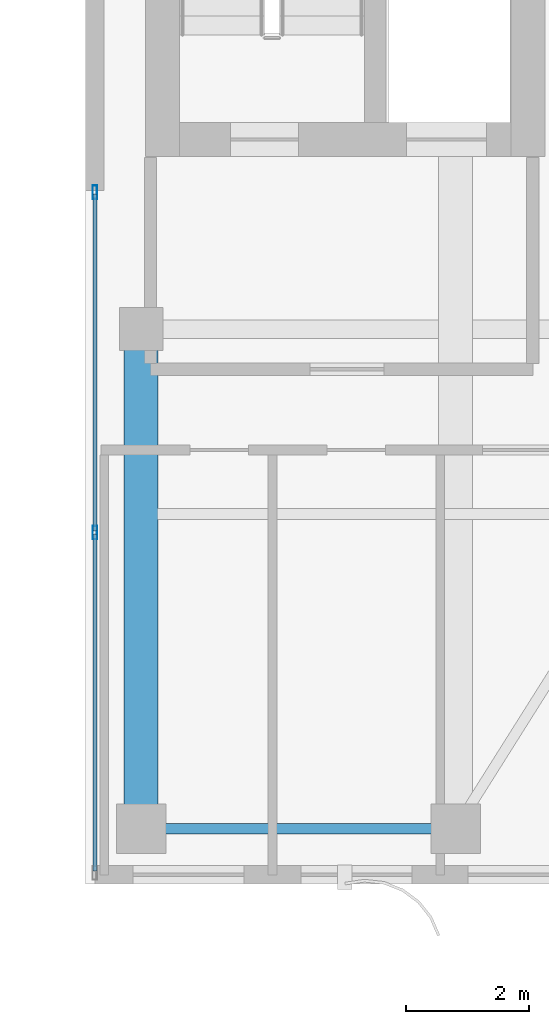
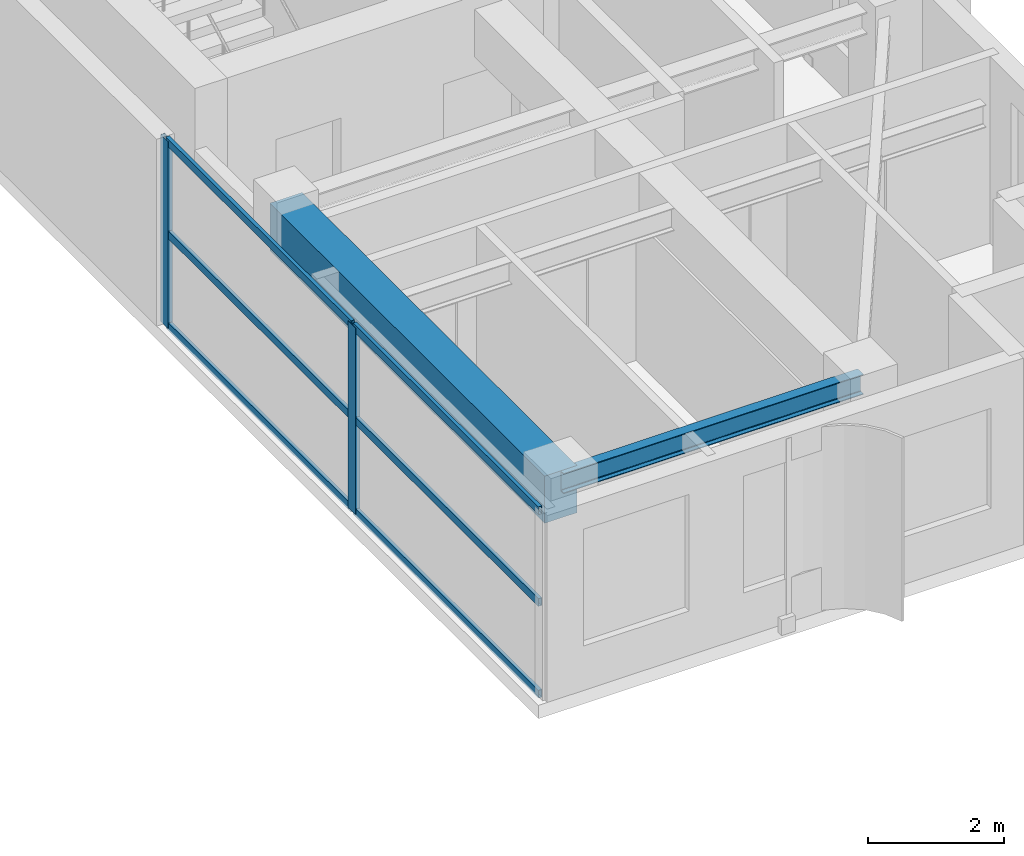
# One storey, part 5 of 22: 8 members, 2 beams, 1 element without a shape of its own.
"""IFC4 building model written with IfcOpenShell, lengths in metres."""

from ifc_helpers import new_model, si_unit, direction, frame, origin, origin_2d, place, context, subcontext, project, spatial, rectangle, hollow_rectangle, i_section, extrude, source, transform, mapped, material, layer, layer_set, material_profile, profile_set, type_object, element, aggregate, save


model = new_model("IFC4")

# Units and contexts
model_context = context("Model", 3, precision=1e-05, world=origin(), true_north=direction((0.0, 1.0)))
body_context = subcontext(model_context, "Body", "Model", "MODEL_VIEW")
ifc_project = project(units=[si_unit("LENGTHUNIT", "METRE"), si_unit("AREAUNIT", "SQUARE_METRE"), si_unit("VOLUMEUNIT", "CUBIC_METRE"), si_unit("PLANEANGLEUNIT", "RADIAN"), si_unit("MASSUNIT", "GRAM", prefix="KILO")], contexts=[model_context])

# Site, building, storey
site_placement = place(None, origin())
site = spatial("IfcSite", under=ifc_project, at=site_placement, CompositionType="ELEMENT")
building_placement = place(site_placement, origin())
building = spatial("IfcBuilding", under=site, at=building_placement, Name="Khoralis Quay Care Tower", CompositionType="ELEMENT")
storey_placement = place(building_placement, frame((0.0, 0.0, 256.5)))
storey = spatial("IfcBuildingStorey", under=building, at=storey_placement, Name="L67", CompositionType="ELEMENT", Elevation=256.5)

# Beams
ifc_material_1 = material(Name="Steel S355", Category="steel")
ifc_material_profile_1 = material_profile(ifc_material_1, i_section(OverallWidth=0.169921875, OverallDepth=0.360107421875, WebThickness=0.008056640625, FlangeThickness=0.0126953125, FilletRadius=0.01806640625, at=origin_2d()), Name="Steel S355")
ifc_profile_set_1 = profile_set([ifc_material_profile_1], Name="Steel S355")
beam_type_1 = type_object("IfcBeamType", Name="BM-IPE360", PredefinedType="SPANDREL", material=ifc_profile_set_1)
shared_shape_1 = source(origin(), body_context, "Body", "SweptSolid", [
    extrude(i_section(OverallWidth=0.169921875, OverallDepth=0.360107421875, WebThickness=0.008056640625, FlangeThickness=0.0126953125, FilletRadius=0.01806640625, at=origin_2d()), origin(), (0.0, 0.0, 1.0), 5.10009765625),
])
beam_1_placement = place(storey_placement, frame((30.89990234375, 3.89990234375, 3.179931640625), z_axis=(1.0, 0.0, 0.0), x_axis=(0.0, 1.0, 0.0)))
element("IfcBeam", 1, at=beam_1_placement, inside=storey, type_object=beam_type_1, Name="BM-TSP-L67-02", PredefinedType="SPANDREL", context=body_context, shape_type="MappedRepresentation", body=[
    mapped(shared_shape_1, transform((0.0, 0.0, 0.0), scale=1.0)),
])
ifc_material_2 = material(Name="Concrete C50/60", Category="concrete")
ifc_material_profile_2 = material_profile(ifc_material_2, rectangle(XDim=0.550048828125, YDim=0.85009765625, at=origin_2d()), Name="Concrete C50/60")
ifc_profile_set_2 = profile_set([ifc_material_profile_2], Name="Concrete C50/60")
beam_type_2 = type_object("IfcBeamType", Name="BM-RC550X850", PredefinedType="BEAM", material=ifc_profile_set_2)
shared_shape_2 = source(origin(), body_context, "Body", "SweptSolid", [
    extrude(rectangle(XDim=0.550048828125, YDim=0.85009765625, at=origin_2d()), origin(), (0.0, 0.0, 1.0), 8.10009765625),
])
beam_2_placement = place(storey_placement, frame((30.89990234375, 3.89990234375, 2.93505859375), z_axis=(0.0, 1.0, 0.0), x_axis=(-1.0, 0.0, 0.0)))
element("IfcBeam", 2, at=beam_2_placement, inside=storey, type_object=beam_type_2, Name="BM-TGYS-L67-309", PredefinedType="BEAM", context=body_context, shape_type="MappedRepresentation", body=[
    mapped(shared_shape_2, transform((0.0, 0.0, 0.0), scale=1.0)),
])

# Curtain wall, members
ifc_material_3 = material(Name="Pale anodised aluminium", Category="aluminium")
ifc_layer = layer(ifc_material_3, 0.18994140625)
ifc_layer_set = layer_set([ifc_layer], Name="Pale anodised aluminium")
curtain_wall_type = type_object("IfcCurtainWallType", Name="CW-SYS-PORTAL", PredefinedType="NOTDEFINED", material=ifc_layer_set)
curtain_wall_placement = place(storey_placement, origin())
curtain_wall = element("IfcCurtainWall", 3, at=curtain_wall_placement, inside=storey, type_object=curtain_wall_type, Name="L67 Unitised Curtain Wall CW-VP-L67-P2-S", PredefinedType="NOTDEFINED")
ifc_material_profile_3 = material_profile(ifc_material_3, hollow_rectangle(XDim=0.074951171875, YDim=0.219970703125, WallThickness=0.00390625, at=origin_2d()), Name="Pale anodised aluminium")
ifc_profile_set_3 = profile_set([ifc_material_profile_3], Name="Pale anodised aluminium")
member_type_1 = type_object("IfcMemberType", Name="CW-MUL-220", PredefinedType="MULLION", material=ifc_profile_set_3)
shared_shape_3 = source(origin(), body_context, "Body", "SweptSolid", [
    extrude(hollow_rectangle(XDim=0.074951171875, YDim=0.219970703125, WallThickness=0.00390625, at=origin_2d()), origin(), (0.0, 0.0, 1.0), 3.360107421875),
])
member_1_placement = place(storey_placement, frame((30.14990234375, 8.699951171875, 0.0), z_axis=(0.0, 0.0, 1.0), x_axis=(-1.0, 0.0, 0.0)))
member_1 = element("IfcMember", 4, at=member_1_placement, type_object=member_type_1, Name="CW4 mullion 2", PredefinedType="MULLION", context=body_context, shape_type="MappedRepresentation", body=[
    mapped(shared_shape_3, transform((0.0, 0.0, 0.0), scale=1.0)),
])
member_2_placement = place(storey_placement, frame((30.14990234375, 14.219970703125, 0.0), z_axis=(0.0, 0.0, 1.0), x_axis=(-1.0, 0.0, 0.0)))
member_2 = element("IfcMember", 5, at=member_2_placement, type_object=member_type_1, Name="CW4 mullion 3", PredefinedType="MULLION", context=body_context, shape_type="MappedRepresentation", body=[
    mapped(shared_shape_3, transform((0.0, 0.0, 0.0), scale=1.0)),
])
ifc_material_profile_4 = material_profile(ifc_material_3, hollow_rectangle(XDim=0.06005859375, YDim=0.139892578125, WallThickness=0.00390625, at=origin_2d()), Name="Pale anodised aluminium")
ifc_profile_set_4 = profile_set([ifc_material_profile_4], Name="Pale anodised aluminium")
member_type_2 = type_object("IfcMemberType", Name="CW-TRN-140", PredefinedType="USERDEFINED", material=ifc_profile_set_4)
shared_shape_4 = source(origin(), body_context, "Body", "SweptSolid", [
    extrude(hollow_rectangle(XDim=0.06005859375, YDim=0.139892578125, WallThickness=0.00390625, at=origin_2d()), origin(), (0.0, 0.0, 1.0), 5.4599609375),
])
member_3_placement = place(storey_placement, frame((30.14990234375, 3.2099609375, 0.030029296875), z_axis=(0.0, 1.0, 0.0), x_axis=(-1.0, 0.0, 0.0)))
member_3 = element("IfcMember", 6, at=member_3_placement, type_object=member_type_2, Name="CW4 transom 1.1", ObjectType="TRANSOM", PredefinedType="USERDEFINED", context=body_context, shape_type="MappedRepresentation", body=[
    mapped(shared_shape_4, transform((0.0, 0.0, 0.0), scale=1.0)),
])
member_4_placement = place(storey_placement, frame((30.14990234375, 3.2099609375, 1.679931640625), z_axis=(0.0, 1.0, 0.0), x_axis=(-1.0, 0.0, 0.0)))
member_4 = element("IfcMember", 7, at=member_4_placement, type_object=member_type_2, Name="CW4 transom 1.2", ObjectType="TRANSOM", PredefinedType="USERDEFINED", context=body_context, shape_type="MappedRepresentation", body=[
    mapped(shared_shape_4, transform((0.0, 0.0, 0.0), scale=1.0)),
])
member_5_placement = place(storey_placement, frame((30.14990234375, 3.2099609375, 3.330078125), z_axis=(0.0, 1.0, 0.0), x_axis=(-1.0, 0.0, 0.0)))
member_5 = element("IfcMember", 8, at=member_5_placement, type_object=member_type_2, Name="CW4 transom 1.3", ObjectType="TRANSOM", PredefinedType="USERDEFINED", context=body_context, shape_type="MappedRepresentation", body=[
    mapped(shared_shape_4, transform((0.0, 0.0, 0.0), scale=1.0)),
])
member_6_placement = place(storey_placement, frame((30.14990234375, 8.72998046875, 0.030029296875), z_axis=(0.0, 1.0, 0.0), x_axis=(-1.0, 0.0, 0.0)))
member_6 = element("IfcMember", 9, at=member_6_placement, type_object=member_type_2, Name="CW4 transom 2.1", ObjectType="TRANSOM", PredefinedType="USERDEFINED", context=body_context, shape_type="MappedRepresentation", body=[
    mapped(shared_shape_4, transform((0.0, 0.0, 0.0), scale=1.0)),
])
member_7_placement = place(storey_placement, frame((30.14990234375, 8.72998046875, 1.679931640625), z_axis=(0.0, 1.0, 0.0), x_axis=(-1.0, 0.0, 0.0)))
member_7 = element("IfcMember", 10, at=member_7_placement, type_object=member_type_2, Name="CW4 transom 2.2", ObjectType="TRANSOM", PredefinedType="USERDEFINED", context=body_context, shape_type="MappedRepresentation", body=[
    mapped(shared_shape_4, transform((0.0, 0.0, 0.0), scale=1.0)),
])
member_8_placement = place(storey_placement, frame((30.14990234375, 8.72998046875, 3.330078125), z_axis=(0.0, 1.0, 0.0), x_axis=(-1.0, 0.0, 0.0)))
member_8 = element("IfcMember", 11, at=member_8_placement, type_object=member_type_2, Name="CW4 transom 2.3", ObjectType="TRANSOM", PredefinedType="USERDEFINED", context=body_context, shape_type="MappedRepresentation", body=[
    mapped(shared_shape_4, transform((0.0, 0.0, 0.0), scale=1.0)),
])
aggregate(curtain_wall, [member_1, member_2, member_3, member_4, member_5, member_6, member_7, member_8])

save(model, "model.ifc")
